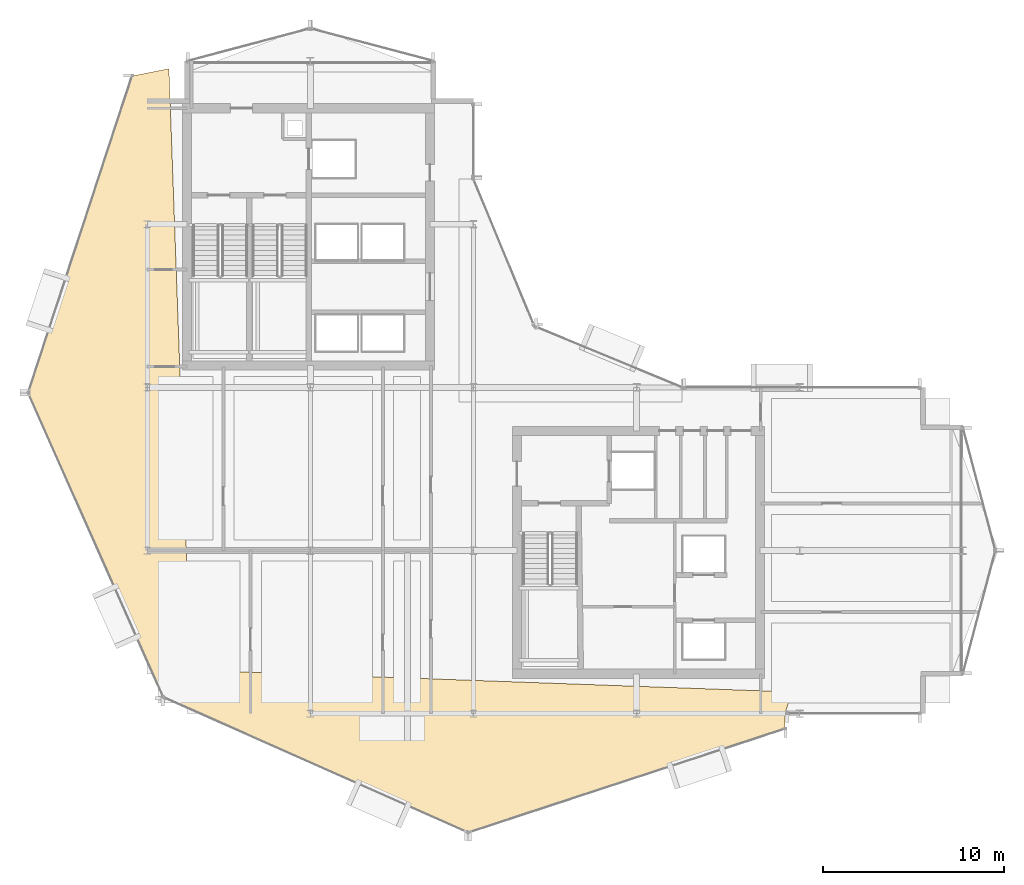
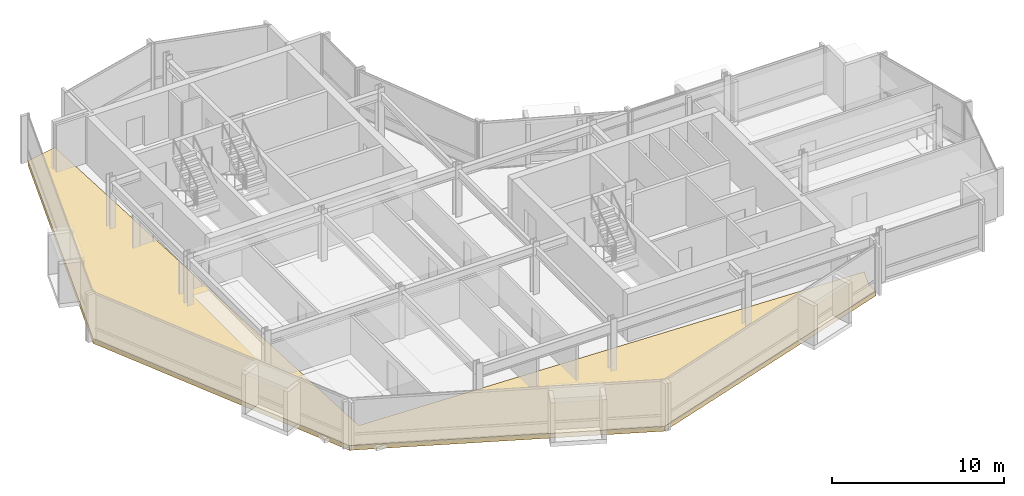
# One storey, part 24 of 27: 1 covering.
"""IFC4 building model written with IfcOpenShell, lengths in metres."""

from ifc_helpers import new_model, si_unit, direction, frame, origin, place, context, subcontext, project, spatial, polyline, outline, extrude, material, layer, layer_set, type_object, element, save


model = new_model("IFC4")

# Units and contexts
model_context = context("Model", 3, precision=1e-05, world=origin(), true_north=direction((0.0, 1.0)))
body_context = subcontext(model_context, "Body", "Model", "MODEL_VIEW")
ifc_project = project(units=[si_unit("LENGTHUNIT", "METRE"), si_unit("AREAUNIT", "SQUARE_METRE"), si_unit("VOLUMEUNIT", "CUBIC_METRE"), si_unit("PLANEANGLEUNIT", "RADIAN"), si_unit("MASSUNIT", "GRAM", prefix="KILO")], contexts=[model_context])

# Site, building, storey
site_placement = place(None, origin())
site = spatial("IfcSite", under=ifc_project, at=site_placement, CompositionType="ELEMENT")
building_placement = place(site_placement, origin())
building = spatial("IfcBuilding", under=site, at=building_placement, Name="Solvaryn Broadcast Tower", CompositionType="ELEMENT")
storey_placement = place(building_placement, frame((0.0, 0.0, 192.699951171875)))
storey = spatial("IfcBuildingStorey", under=building, at=storey_placement, Name="L48", CompositionType="ELEMENT", Elevation=192.699951171875)

# Covering
ifc_material = material(Name="Sculpted Architectural Terracotta Wave Fascia", Category="masonry")
ifc_layer = layer(ifc_material, 0.340087890625)
ifc_layer_set = layer_set([ifc_layer], Name="CV-WAVE-TRAY")
covering_type = type_object("IfcCoveringType", Name="CV-WAVE-TRAY", PredefinedType="CLADDING", material=ifc_layer_set)
covering_placement = place(storey_placement, frame((0.0, 0.0, -0.300048828125)))
element("IfcCovering", 1, at=covering_placement, inside=storey, type_object=covering_type, Name="L48 Stepped Cylindrical Drum Floor Apron", PredefinedType="CLADDING", context=body_context, shape_type="SweptSolid", body=[
    extrude(outline(polyline([(10.199951171875, 44.58203125), (8.1630859375, 44.181884765625), (2.43310546875, 26.7060546875), (9.89794921875, 9.89794921875), (26.7060546875, 2.43310546875), (44.181884765625, 8.1630859375), (44.181884765625, 9.0), (44.58203125, 10.199951171875), (11.39990234375, 11.39990234375), (10.199951171875, 44.58203125)])), origin(), (0.0, 0.0, 1.0), 0.330078125),
])

save(model, "model.ifc")
